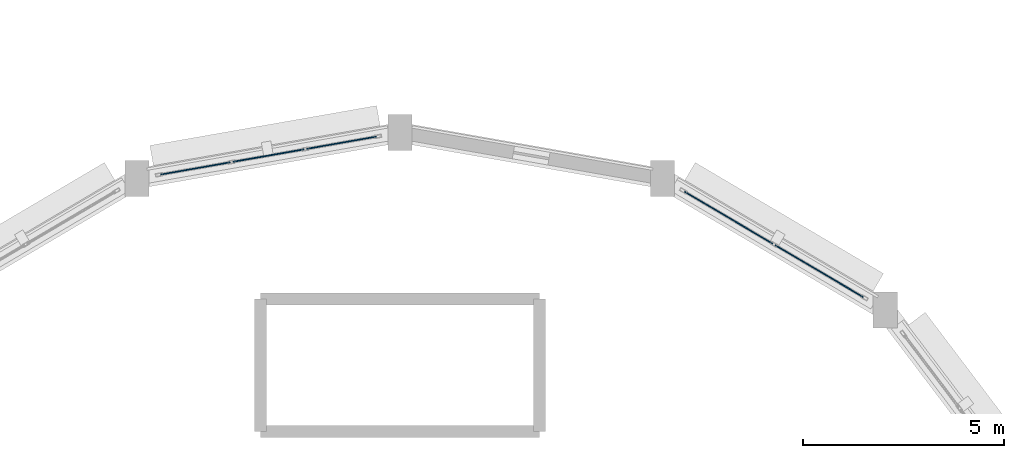
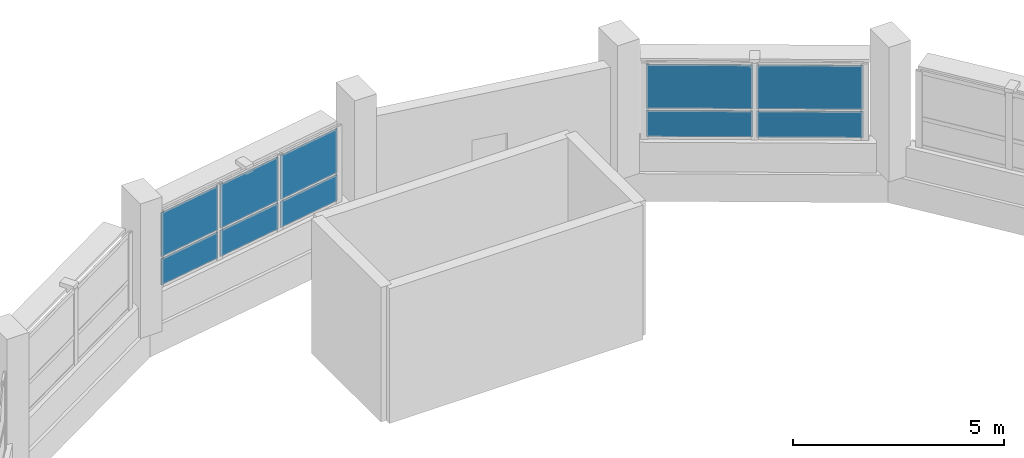
# One storey, part 96 of 121: 10 plates, 2 elements without a shape of their own.
"""IFC4 building model written with IfcOpenShell, lengths in metres."""

from ifc_helpers import new_model, si_unit, direction, frame, origin, origin_2d, place, context, subcontext, project, spatial, rectangle, extrude, material, layer, layer_set, type_object, element, aggregate, save


model = new_model("IFC4")

# Units and contexts
model_context = context("Model", 3, precision=1e-05, world=origin(), true_north=direction((0.0, 1.0)))
body_context = subcontext(model_context, "Body", "Model", "MODEL_VIEW")
ifc_project = project(units=[si_unit("LENGTHUNIT", "METRE"), si_unit("AREAUNIT", "SQUARE_METRE"), si_unit("VOLUMEUNIT", "CUBIC_METRE"), si_unit("PLANEANGLEUNIT", "RADIAN"), si_unit("MASSUNIT", "GRAM", prefix="KILO")], contexts=[model_context])

# Site, building, storey
site_placement = place(None, origin())
site = spatial("IfcSite", under=ifc_project, at=site_placement, CompositionType="ELEMENT")
building_placement = place(site_placement, origin())
building = spatial("IfcBuilding", under=site, at=building_placement, Name="Vespera Passage Community Centre", CompositionType="ELEMENT")
storey_placement = place(building_placement, frame((0.0, 0.0, 8.699951171875)))
storey = spatial("IfcBuildingStorey", under=building, at=storey_placement, Name="L02", CompositionType="ELEMENT", Elevation=8.699951171875)

# Curtain wall, plates
ifc_material_1 = material(Name="Anodized aluminium 6063-T6", Category="aluminium")
ifc_layer_1 = layer(ifc_material_1, 0.159912109375)
ifc_layer_set_1 = layer_set([ifc_layer_1], Name="Anodized aluminium 6063-T6")
curtain_wall_type_1 = type_object("IfcCurtainWallType", Name="CW-99E", PredefinedType="NOTDEFINED", material=ifc_layer_set_1)
curtain_wall_1_placement = place(storey_placement, origin())
curtain_wall_1 = element("IfcCurtainWall", 1, at=curtain_wall_1_placement, inside=storey, type_object=curtain_wall_type_1, Name="Sports Drum Ribbon Curtain Wall L02.3", PredefinedType="NOTDEFINED")
ifc_material_2 = material(Name="Low-E insulated vision glass", Category="glass")
ifc_layer_2 = layer(ifc_material_2, 0.028076171875)
ifc_layer_set_2 = layer_set([ifc_layer_2], Name="Low-E insulated vision glass")
plate_type = type_object("IfcPlateType", Name="PL-CWP-28E", PredefinedType="CURTAIN_PANEL", material=ifc_layer_set_2)
plate_1_placement = place(storey_placement, frame((151.189453125, 102.4794921875, 0.91015625), z_axis=(0.0, 0.0, 1.0), x_axis=(0.861256740157, -0.50817007737, 0.0)))
plate_1 = element("IfcPlate", 2, at=plate_1_placement, type_object=plate_type, Name="CW-99E panel 1.1", PredefinedType="CURTAIN_PANEL", context=body_context, shape_type="SweptSolid", body=[
    extrude(rectangle(XDim=2.544677734375, YDim=0.028076171875, at=origin_2d()), origin(), (0.0, 0.0, 1.0), 0.760009765625),
])
plate_2_placement = place(storey_placement, frame((151.189453125, 102.4794921875, 1.72998046875), z_axis=(0.0, 0.0, 1.0), x_axis=(0.861256740157, -0.50817007737, 0.0)))
plate_2 = element("IfcPlate", 3, at=plate_2_placement, type_object=plate_type, Name="CW-99E panel 1.2", PredefinedType="CURTAIN_PANEL", context=body_context, shape_type="SweptSolid", body=[
    extrude(rectangle(XDim=2.544677734375, YDim=0.028076171875, at=origin_2d()), origin(), (0.0, 0.0, 1.0), 1.27490234375),
])
plate_3_placement = place(storey_placement, frame((153.44580078125, 101.148193359375, 0.91015625), z_axis=(0.0, 0.0, 1.0), x_axis=(0.861256740157, -0.50817007737, 0.0)))
plate_3 = element("IfcPlate", 4, at=plate_3_placement, type_object=plate_type, Name="CW-99E panel 2.1", PredefinedType="CURTAIN_PANEL", context=body_context, shape_type="SweptSolid", body=[
    extrude(rectangle(XDim=2.544677734375, YDim=0.028076171875, at=origin_2d()), origin(), (0.0, 0.0, 1.0), 0.760009765625),
])
plate_4_placement = place(storey_placement, frame((153.44580078125, 101.148193359375, 1.72998046875), z_axis=(0.0, 0.0, 1.0), x_axis=(0.861256740157, -0.50817007737, 0.0)))
plate_4 = element("IfcPlate", 5, at=plate_4_placement, type_object=plate_type, Name="CW-99E panel 2.2", PredefinedType="CURTAIN_PANEL", context=body_context, shape_type="SweptSolid", body=[
    extrude(rectangle(XDim=2.544677734375, YDim=0.028076171875, at=origin_2d()), origin(), (0.0, 0.0, 1.0), 1.27490234375),
])
aggregate(curtain_wall_1, [plate_1, plate_2, plate_3, plate_4])

ifc_material_3 = material(Name="Anodized aluminium 6063-T6", Category="aluminium")
ifc_layer_3 = layer(ifc_material_3, 0.159912109375)
ifc_layer_set_3 = layer_set([ifc_layer_3], Name="Anodized aluminium 6063-T6")
curtain_wall_type_2 = type_object("IfcCurtainWallType", Name="CW-100E", PredefinedType="NOTDEFINED", material=ifc_layer_set_3)
curtain_wall_2_placement = place(storey_placement, origin())
curtain_wall_2 = element("IfcCurtainWall", 6, at=curtain_wall_2_placement, inside=storey, type_object=curtain_wall_type_2, Name="Sports Drum Ribbon Curtain Wall L02.5", PredefinedType="NOTDEFINED")
plate_5_placement = place(storey_placement, frame((137.906494140625, 103.705322265625, 0.91015625), z_axis=(0.0, 0.0, 1.0), x_axis=(0.984922802731, 0.172994429562, 0.0)))
plate_5 = element("IfcPlate", 7, at=plate_5_placement, type_object=plate_type, Name="CW-100E panel 1.1", PredefinedType="CURTAIN_PANEL", context=body_context, shape_type="SweptSolid", body=[
    extrude(rectangle(XDim=1.755859375, YDim=0.028076171875, at=origin_2d()), origin(), (0.0, 0.0, 1.0), 0.760009765625),
])
plate_6_placement = place(storey_placement, frame((137.906494140625, 103.705322265625, 1.72998046875), z_axis=(0.0, 0.0, 1.0), x_axis=(0.984922802731, 0.172994429562, 0.0)))
plate_6 = element("IfcPlate", 8, at=plate_6_placement, type_object=plate_type, Name="CW-100E panel 1.2", PredefinedType="CURTAIN_PANEL", context=body_context, shape_type="SweptSolid", body=[
    extrude(rectangle(XDim=1.755859375, YDim=0.028076171875, at=origin_2d()), origin(), (0.0, 0.0, 1.0), 1.27490234375),
])
plate_7_placement = place(storey_placement, frame((139.72802734375, 104.025390625, 0.91015625), z_axis=(0.0, 0.0, 1.0), x_axis=(0.984922802731, 0.172994429562, 0.0)))
plate_7 = element("IfcPlate", 9, at=plate_7_placement, type_object=plate_type, Name="CW-100E panel 2.1", PredefinedType="CURTAIN_PANEL", context=body_context, shape_type="SweptSolid", body=[
    extrude(rectangle(XDim=1.793212890625, YDim=0.028076171875, at=origin_2d()), origin(), (0.0, 0.0, 1.0), 0.760009765625),
])
plate_8_placement = place(storey_placement, frame((139.72802734375, 104.025390625, 1.72998046875), z_axis=(0.0, 0.0, 1.0), x_axis=(0.984922802731, 0.172994429562, 0.0)))
plate_8 = element("IfcPlate", 10, at=plate_8_placement, type_object=plate_type, Name="CW-100E panel 2.2", PredefinedType="CURTAIN_PANEL", context=body_context, shape_type="SweptSolid", body=[
    extrude(rectangle(XDim=1.793212890625, YDim=0.028076171875, at=origin_2d()), origin(), (0.0, 0.0, 1.0), 1.27490234375),
])
plate_9_placement = place(storey_placement, frame((141.5498046875, 104.34521484375, 0.91015625), z_axis=(0.0, 0.0, 1.0), x_axis=(0.984922802731, 0.172994429562, 0.0)))
plate_9 = element("IfcPlate", 11, at=plate_9_placement, type_object=plate_type, Name="CW-100E panel 3.1", PredefinedType="CURTAIN_PANEL", context=body_context, shape_type="SweptSolid", body=[
    extrude(rectangle(XDim=1.755859375, YDim=0.028076171875, at=origin_2d()), origin(), (0.0, 0.0, 1.0), 0.760009765625),
])
plate_10_placement = place(storey_placement, frame((141.5498046875, 104.34521484375, 1.72998046875), z_axis=(0.0, 0.0, 1.0), x_axis=(0.984922802731, 0.172994429562, 0.0)))
plate_10 = element("IfcPlate", 12, at=plate_10_placement, type_object=plate_type, Name="CW-100E panel 3.2", PredefinedType="CURTAIN_PANEL", context=body_context, shape_type="SweptSolid", body=[
    extrude(rectangle(XDim=1.755859375, YDim=0.028076171875, at=origin_2d()), origin(), (0.0, 0.0, 1.0), 1.27490234375),
])
aggregate(curtain_wall_2, [plate_5, plate_6, plate_7, plate_8, plate_9, plate_10])

save(model, "model.ifc")
